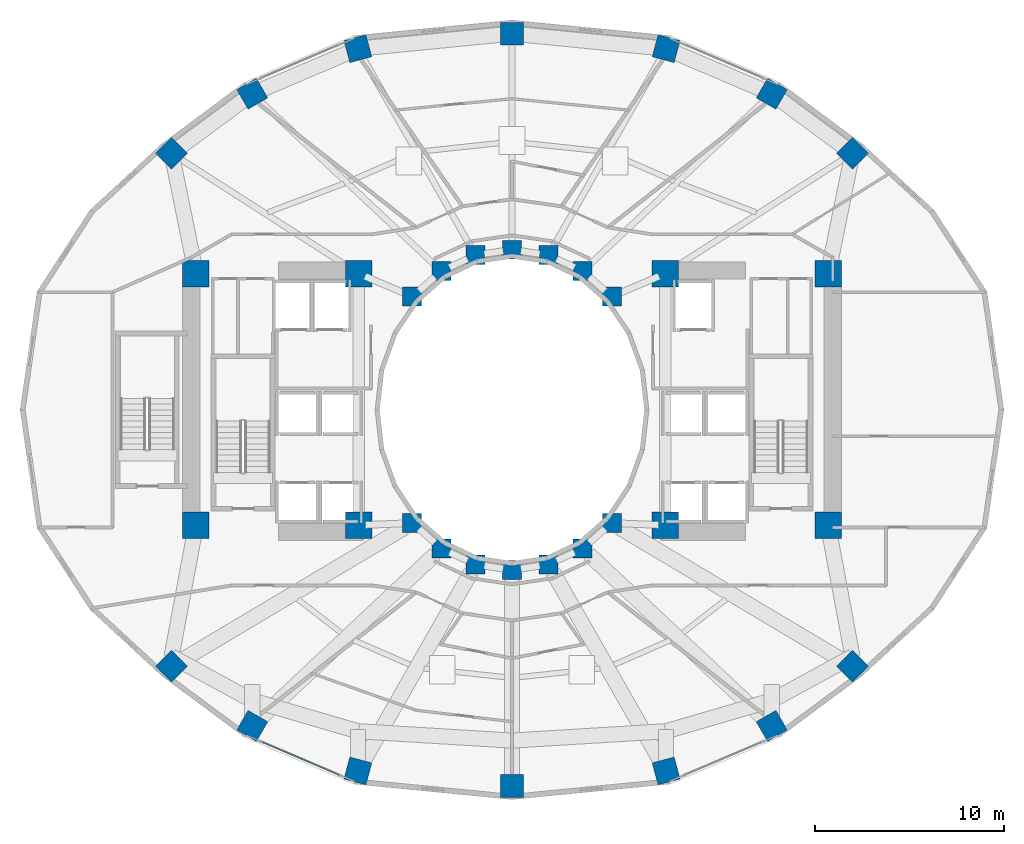
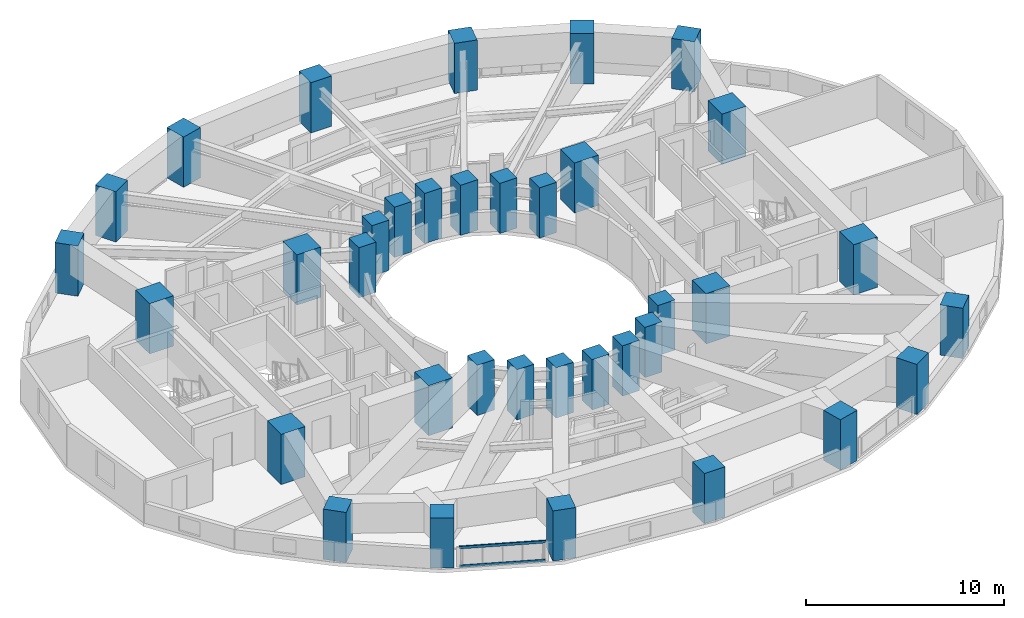
# One storey, part 1 of 16: 36 columns, 2 members, 1 element without a shape of its own.
"""IFC4 building model written with IfcOpenShell, lengths in metres."""

from ifc_helpers import new_model, si_unit, direction, frame, origin, origin_2d, place, context, subcontext, project, spatial, rectangle, hollow_rectangle, extrude, material, layer, layer_set, material_profile, profile_set, type_object, element, aggregate, save


model = new_model("IFC4")

# Units and contexts
model_context = context("Model", 3, precision=1e-05, world=origin(), true_north=direction((0.0, 1.0)))
body_context = subcontext(model_context, "Body", "Model", "MODEL_VIEW")
ifc_project = project(units=[si_unit("LENGTHUNIT", "METRE"), si_unit("AREAUNIT", "SQUARE_METRE"), si_unit("VOLUMEUNIT", "CUBIC_METRE"), si_unit("PLANEANGLEUNIT", "RADIAN"), si_unit("MASSUNIT", "GRAM", prefix="KILO")], contexts=[model_context])

# Site, building, storey
site_placement = place(None, origin())
site = spatial("IfcSite", under=ifc_project, at=site_placement, CompositionType="ELEMENT")
building_placement = place(site_placement, origin())
building = spatial("IfcBuilding", under=site, at=building_placement, Name="Solvane Sanctuary Tower", CompositionType="ELEMENT")
storey_placement = place(building_placement, frame((0.0, 0.0, 33.800048828125)))
storey = spatial("IfcBuildingStorey", under=building, at=storey_placement, Name="L09", CompositionType="ELEMENT", Elevation=33.800048828125)

# Columns
ifc_material_1 = material(Name="Concrete C70/85", Category="concrete")
ifc_material_profile_1 = material_profile(ifc_material_1, rectangle(XDim=1.39990234375, YDim=1.39990234375, at=origin_2d()), Name="RC1400X1400")
ifc_profile_set_1 = profile_set([ifc_material_profile_1], Name="Concrete C70/85")
column_type_1 = type_object("IfcColumnType", Name="Column C-POD-INT RC1400X1400", PredefinedType="COLUMN", material=ifc_profile_set_1)
for number, where, z_axis, x_axis, name in (
    (1, (15.300048828125, 16.89990234375, 0.0), (0.0, 0.0, 1.0), (1.0, 0.0, 0.0), "L09 Core Corner Column CW1"),
    (2, (23.89990234375, 16.89990234375, 0.0), (0.0, 0.0, 1.0), (1.0, 0.0, 0.0), "L09 Core Corner Column CW2"),
    (3, (23.89990234375, 30.199951171875, 0.0), (0.0, 0.0, 1.0), (1.0, 0.0, 0.0), "L09 Core Corner Column CW3"),
    (4, (15.300048828125, 30.199951171875, 0.0), (0.0, 0.0, 1.0), (1.0, 0.0, 0.0), "L09 Core Corner Column CW4"),
    (5, (40.10009765625, 16.89990234375, 0.0), (0.0, 0.0, 1.0), (1.0, 0.0, 0.0), "L09 Core Corner Column CE1"),
    (6, (48.699951171875, 16.89990234375, 0.0), (0.0, 0.0, 1.0), (1.0, 0.0, 0.0), "L09 Core Corner Column CE2"),
    (7, (48.699951171875, 30.199951171875, 0.0), (0.0, 0.0, 1.0), (1.0, 0.0, 0.0), "L09 Core Corner Column CE3"),
    (8, (40.10009765625, 30.199951171875, 0.0), (0.0, 0.0, 1.0), (1.0, 0.0, 0.0), "L09 Core Corner Column CE4"),
):
    element("IfcColumn", number, at=place(storey_placement, frame(where, z_axis=z_axis, x_axis=x_axis)), inside=storey, type_object=column_type_1, Name=name, PredefinedType="COLUMN", context=body_context, shape_type="SweptSolid", body=[
        extrude(rectangle(XDim=1.39990234375, YDim=1.39990234375, at=origin_2d()), origin(), (0.0, 0.0, 1.0), 3.099853515625),
    ])
ifc_material_profile_2 = material_profile(ifc_material_1, rectangle(XDim=1.0, YDim=1.0, at=origin_2d()), Name="RC1000X1000")
ifc_profile_set_2 = profile_set([ifc_material_profile_2], Name="Concrete C70/85")
column_type_2 = type_object("IfcColumnType", Name="Column C-RING-Z1 RC1000X1000", PredefinedType="COLUMN", material=ifc_profile_set_2)
for number, where, z_axis, x_axis, name in (
    (9, (37.27490234375, 28.982177734375, 0.0), (0.0, 0.0, 1.0), (1.0, 0.0, 0.0), "L09 Inner Light-Well Ring Column IC01"),
    (10, (35.72998046875, 30.32666015625, 0.0), (0.0, 0.0, 1.0), (1.0, 0.0, 0.0), "L09 Inner Light-Well Ring Column IC02"),
    (11, (33.930908203125, 31.171630859375, 0.0), (0.0, 0.0, 1.0), (1.0, 0.0, 0.0), "L09 Inner Light-Well Ring Column IC03"),
    (12, (32.0, 31.4599609375, 0.0), (0.0, 0.0, 1.0), (1.0, 0.0, 0.0), "L09 Inner Light-Well Ring Column IC04"),
    (13, (30.069091796875, 31.171630859375, 0.0), (0.0, 0.0, 1.0), (1.0, 0.0, 0.0), "L09 Inner Light-Well Ring Column IC05"),
    (14, (28.27001953125, 30.32666015625, 0.0), (0.0, 0.0, 1.0), (1.0, 0.0, 0.0), "L09 Inner Light-Well Ring Column IC06"),
    (15, (26.72509765625, 28.982177734375, 0.0), (0.0, 0.0, 1.0), (1.0, 0.0, 0.0), "L09 Inner Light-Well Ring Column IC07"),
    (16, (26.72509765625, 17.017822265625, 0.0), (0.0, 0.0, 1.0), (1.0, 0.0, 0.0), "L09 Inner Light-Well Ring Column IC08"),
    (17, (28.27001953125, 15.67333984375, 0.0), (0.0, 0.0, 1.0), (1.0, 0.0, 0.0), "L09 Inner Light-Well Ring Column IC09"),
    (18, (30.069091796875, 14.828369140625, 0.0), (0.0, 0.0, 1.0), (1.0, 0.0, 0.0), "L09 Inner Light-Well Ring Column IC10"),
    (19, (32.0, 14.5400390625, 0.0), (0.0, 0.0, 1.0), (1.0, 0.0, 0.0), "L09 Inner Light-Well Ring Column IC11"),
    (20, (33.930908203125, 14.828369140625, 0.0), (0.0, 0.0, 1.0), (1.0, 0.0, 0.0), "L09 Inner Light-Well Ring Column IC12"),
    (21, (35.72998046875, 15.67333984375, 0.0), (0.0, 0.0, 1.0), (1.0, 0.0, 0.0), "L09 Inner Light-Well Ring Column IC13"),
    (22, (37.27490234375, 17.017822265625, 0.0), (0.0, 0.0, 1.0), (1.0, 0.0, 0.0), "L09 Inner Light-Well Ring Column IC14"),
):
    element("IfcColumn", number, at=place(storey_placement, frame(where, z_axis=z_axis, x_axis=x_axis)), inside=storey, type_object=column_type_2, Name=name, PredefinedType="COLUMN", context=body_context, shape_type="SweptSolid", body=[
        extrude(rectangle(XDim=1.0, YDim=1.0, at=origin_2d()), origin(), (0.0, 0.0, 1.0), 3.099853515625),
    ])
ifc_material_profile_3 = material_profile(ifc_material_1, rectangle(XDim=1.199951171875, YDim=1.199951171875, at=origin_2d()), Name="RC1200X1200")
ifc_profile_set_3 = profile_set([ifc_material_profile_3], Name="Concrete C70/85")
column_type_3 = type_object("IfcColumnType", Name="Column C-TUBE-Z1 RC1200X1200", PredefinedType="COLUMN", material=ifc_profile_set_3)
for number, where, z_axis, x_axis, name in (
    (23, (49.99169921875, 36.5537109375, 0.0), (0.0, 0.0, 1.0), (0.707106781187, 0.707106781187, 0.0), "L09 Perimeter Tube Column TC01"),
    (24, (45.727294921875, 39.7041015625, 0.0), (0.0, 0.0, 1.0), (0.5, 0.866025403784, 0.0), "L09 Perimeter Tube Column TC02"),
    (25, (40.14501953125, 42.083740234375, 0.0), (0.0, 0.0, 1.0), (0.258819045103, 0.965925826289, 0.0), "L09 Perimeter Tube Column TC03"),
    (26, (32.0, 42.8798828125, 0.0), (0.0, 0.0, 1.0), (0.0, 1.0, 0.0), "L09 Perimeter Tube Column TC04"),
    (27, (23.85498046875, 42.083740234375, 0.0), (0.0, 0.0, 1.0), (-0.258819045103, 0.965925826289, 0.0), "L09 Perimeter Tube Column TC05"),
    (28, (18.272705078125, 39.7041015625, 0.0), (0.0, 0.0, 1.0), (-0.5, 0.866025403784, 0.0), "L09 Perimeter Tube Column TC06"),
    (29, (14.00830078125, 36.5537109375, 0.0), (0.0, 0.0, 1.0), (-0.707106781187, 0.707106781187, 0.0), "L09 Perimeter Tube Column TC07"),
    (30, (14.00830078125, 9.4462890625, 0.0), (0.0, 0.0, 1.0), (-0.707106781187, -0.707106781187, 0.0), "L09 Perimeter Tube Column TC08"),
    (31, (18.272705078125, 6.2958984375, 0.0), (0.0, 0.0, 1.0), (-0.5, -0.866025403784, 0.0), "L09 Perimeter Tube Column TC09"),
    (32, (23.85498046875, 3.916259765625, 0.0), (0.0, 0.0, 1.0), (-0.258819045103, -0.965925826289, 0.0), "L09 Perimeter Tube Column TC10"),
    (33, (32.0, 3.1201171875, 0.0), (0.0, 0.0, 1.0), (0.0, -1.0, 0.0), "L09 Perimeter Tube Column TC11"),
    (34, (40.14501953125, 3.916259765625, 0.0), (0.0, 0.0, 1.0), (0.258819045103, -0.965925826289, 0.0), "L09 Perimeter Tube Column TC12"),
    (35, (45.727294921875, 6.2958984375, 0.0), (0.0, 0.0, 1.0), (0.5, -0.866025403784, 0.0), "L09 Perimeter Tube Column TC13"),
    (36, (49.99169921875, 9.4462890625, 0.0), (0.0, 0.0, 1.0), (0.707106781187, -0.707106781187, 0.0), "L09 Perimeter Tube Column TC14"),
):
    element("IfcColumn", number, at=place(storey_placement, frame(where, z_axis=z_axis, x_axis=x_axis)), inside=storey, type_object=column_type_3, Name=name, PredefinedType="COLUMN", context=body_context, shape_type="SweptSolid", body=[
        extrude(rectangle(XDim=1.199951171875, YDim=1.199951171875, at=origin_2d()), origin(), (0.0, 0.0, 1.0), 3.099853515625),
    ])

# Curtain wall, members
ifc_material_2 = material(Name="Anodised Aluminium 6063-T6", Category="aluminium")
ifc_layer = layer(ifc_material_2, 0.169921875, Name="Anodised Aluminium 6063-T6")
ifc_layer_set = layer_set([ifc_layer], Name="Anodised Aluminium 6063-T6")
curtain_wall_type = type_object("IfcCurtainWallType", Name="Curtain Wall CW-FRIT-Z1", PredefinedType="NOTDEFINED", material=ifc_layer_set)
curtain_wall_placement = place(storey_placement, origin())
curtain_wall = element("IfcCurtainWall", 37, at=curtain_wall_placement, inside=storey, type_object=curtain_wall_type, Name="L09 CW-FRIT-Z1 Facade Run 16", PredefinedType="NOTDEFINED")
ifc_material_profile_4 = material_profile(ifc_material_2, hollow_rectangle(XDim=0.06494140625, YDim=0.159912109375, WallThickness=0.00341796875, at=origin_2d()), Name="ALU160X65X3.5")
ifc_profile_set_4 = profile_set([ifc_material_profile_4], Name="Anodised Aluminium 6063-T6")
member_type = type_object("IfcMemberType", Name="Member M-CW-TRN-1 ALU160X65X3.5", PredefinedType="USERDEFINED", material=ifc_profile_set_4)
member_1_placement = place(storey_placement, frame((18.781005859375, 5.451416015625, 0.032470703125), z_axis=(0.919612983912, -0.392825609935, 0.0), x_axis=(0.392825609935, 0.919612983912, 0.0)))
member_1 = element("IfcMember", 38, at=member_1_placement, type_object=member_type, Name="CW-FRIT-Z1 transom 1.1", ObjectType="TRANSOM", PredefinedType="USERDEFINED", context=body_context, shape_type="SweptSolid", body=[
    extrude(hollow_rectangle(XDim=0.06494140625, YDim=0.159912109375, WallThickness=0.00341796875, at=origin_2d()), origin(), (0.0, 0.0, 1.0), 4.41943359375),
])
member_2_placement = place(storey_placement, frame((18.781005859375, 5.451416015625, 1.1875), z_axis=(0.919612983912, -0.392825609935, 0.0), x_axis=(0.392825609935, 0.919612983912, 0.0)))
member_2 = element("IfcMember", 39, at=member_2_placement, type_object=member_type, Name="CW-FRIT-Z1 transom 1.2", ObjectType="TRANSOM", PredefinedType="USERDEFINED", context=body_context, shape_type="SweptSolid", body=[
    extrude(hollow_rectangle(XDim=0.06494140625, YDim=0.159912109375, WallThickness=0.00341796875, at=origin_2d()), origin(), (0.0, 0.0, 1.0), 4.41943359375),
])
aggregate(curtain_wall, [member_1, member_2])

save(model, "model.ifc")
